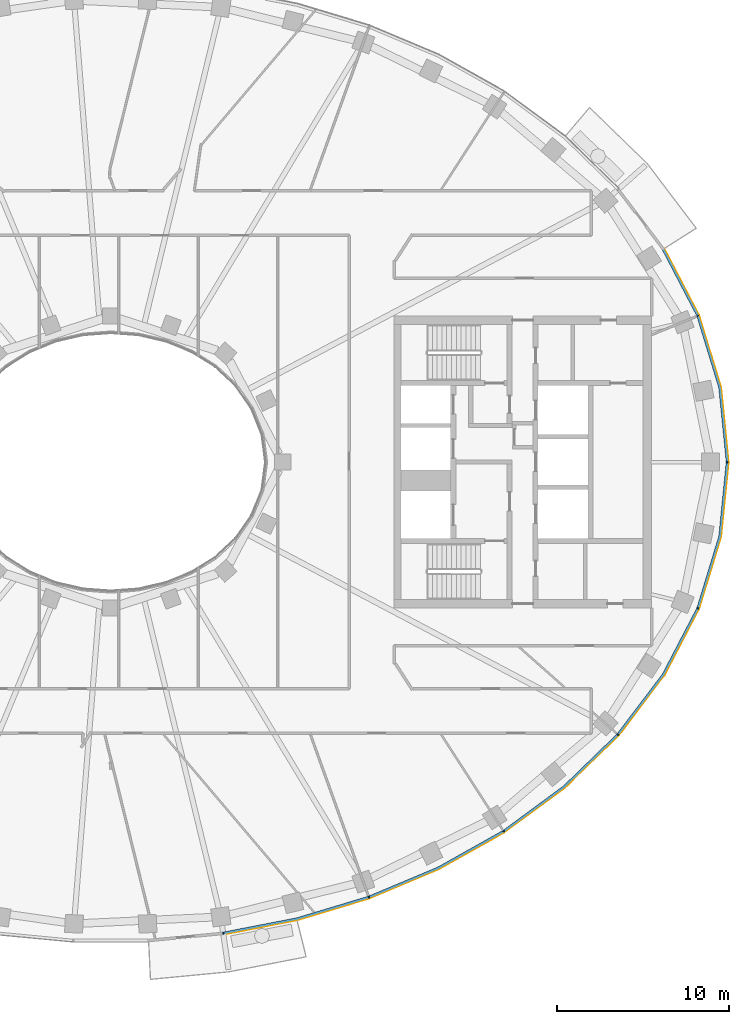
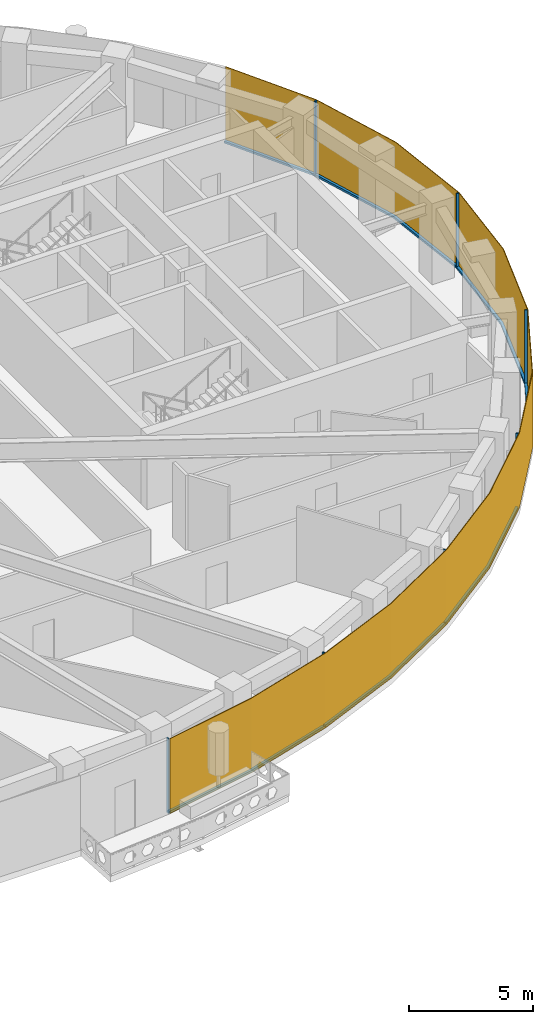
# One storey, part 11 of 17: 14 members, 1 curtain wall.
"""IFC4 building model written with IfcOpenShell, lengths in metres."""

from ifc_helpers import new_model, si_unit, direction, frame, origin, origin_2d, place, context, subcontext, project, spatial, polyline, rectangle, outline, extrude, material, layer, layer_set, material_profile, profile_set, type_object, element, aggregate, save


model = new_model("IFC4")

# Units and contexts
model_context = context("Model", 3, precision=1e-05, world=origin(), true_north=direction((0.0, 1.0)))
body_context = subcontext(model_context, "Body", "Model", "MODEL_VIEW")
ifc_project = project(units=[si_unit("LENGTHUNIT", "METRE"), si_unit("AREAUNIT", "SQUARE_METRE"), si_unit("VOLUMEUNIT", "CUBIC_METRE"), si_unit("PLANEANGLEUNIT", "RADIAN"), si_unit("MASSUNIT", "GRAM", prefix="KILO")], contexts=[model_context])

# Member
ifc_material_1 = material(Name="Aluminium 6063-T6 black anodised", Category="aluminium")
ifc_material_profile = material_profile(ifc_material_1, rectangle(XDim=0.1201171875, YDim=0.06005859375, at=origin_2d()), Name="120x60")
ifc_profile_set = profile_set([ifc_material_profile], Name="Aluminium 6063-T6 black anodised")
member_type_1 = type_object("IfcMemberType", Name="ENV-MULLION-A-120", PredefinedType="MULLION", material=ifc_profile_set)
site_placement = place(None, origin())
building_placement = place(site_placement, origin())
storey_placement = place(building_placement, frame((0.0, 0.0, 269.5)))
member_1_placement = place(storey_placement, frame((6.54638671875, -27.440185546875, 0.0), z_axis=(0.0, 0.0, 1.0), x_axis=(-0.143082012705, 0.989710835366, 0.0)))
member_1 = element("IfcMember", 1, at=member_1_placement, type_object=member_type_1, Name="Mullion A radial 37", PredefinedType="MULLION", context=body_context, shape_type="SweptSolid", body=[
    extrude(rectangle(XDim=0.1201171875, YDim=0.06005859375, at=origin_2d()), origin(), (0.0, 0.0, 1.0), 3.699951171875),
])

member_2_placement = place(storey_placement, frame((15.0341796875, -25.34375, 0.0), z_axis=(0.0, 0.0, 1.0), x_axis=(-0.338379256581, 0.941009818608, 0.0)))
member_2 = element("IfcMember", 2, at=member_2_placement, type_object=member_type_1, Name="Mullion A radial 39", PredefinedType="MULLION", context=body_context, shape_type="SweptSolid", body=[
    extrude(rectangle(XDim=0.1201171875, YDim=0.06005859375, at=origin_2d()), origin(), (0.0, 0.0, 1.0), 3.699951171875),
])

member_3_placement = place(storey_placement, frame((22.882568359375, -21.506591796875, 0.0), z_axis=(0.0, 0.0, 1.0), x_axis=(-0.542279153225, 0.840198381323, 0.0)))
member_3 = element("IfcMember", 3, at=member_3_placement, type_object=member_type_1, Name="Mullion A radial 41", PredefinedType="MULLION", context=body_context, shape_type="SweptSolid", body=[
    extrude(rectangle(XDim=0.1201171875, YDim=0.06005859375, at=origin_2d()), origin(), (0.0, 0.0, 1.0), 3.699951171875),
])

member_4_placement = place(storey_placement, frame((29.53857421875, -15.8671875, 0.0), z_axis=(0.0, 0.0, 1.0), x_axis=(-0.749047221705, 0.662516610853, 0.0)))
member_4 = element("IfcMember", 4, at=member_4_placement, type_object=member_type_1, Name="Mullion A radial 43", PredefinedType="MULLION", context=body_context, shape_type="SweptSolid", body=[
    extrude(rectangle(XDim=0.1201171875, YDim=0.06005859375, at=origin_2d()), origin(), (0.0, 0.0, 1.0), 3.699951171875),
])

member_5_placement = place(storey_placement, frame((34.19580078125, -8.513916015625, 0.0), z_axis=(0.0, 0.0, 1.0), x_axis=(-0.92546738067, 0.378827305398, 0.0)))
member_5 = element("IfcMember", 5, at=member_5_placement, type_object=member_type_1, Name="Mullion A radial 45", PredefinedType="MULLION", context=body_context, shape_type="SweptSolid", body=[
    extrude(rectangle(XDim=0.1201171875, YDim=0.06005859375, at=origin_2d()), origin(), (0.0, 0.0, 1.0), 3.699951171875),
])

member_6_placement = place(storey_placement, frame((35.907958984375, 0.0, 0.0), z_axis=(0.0, 0.0, 1.0), x_axis=(-1.0, 0.0, 0.0)))
member_6 = element("IfcMember", 6, at=member_6_placement, type_object=member_type_1, Name="Mullion A radial 01", PredefinedType="MULLION", context=body_context, shape_type="SweptSolid", body=[
    extrude(rectangle(XDim=0.1201171875, YDim=0.06005859375, at=origin_2d()), origin(), (0.0, 0.0, 1.0), 3.699951171875),
])

member_7_placement = place(storey_placement, frame((34.19580078125, 8.513916015625, 0.0), z_axis=(0.0, 0.0, 1.0), x_axis=(-0.92546738067, -0.378827305398, 0.0)))
member_7 = element("IfcMember", 7, at=member_7_placement, type_object=member_type_1, Name="Mullion A radial 03", PredefinedType="MULLION", context=body_context, shape_type="SweptSolid", body=[
    extrude(rectangle(XDim=0.1201171875, YDim=0.06005859375, at=origin_2d()), origin(), (0.0, 0.0, 1.0), 3.699951171875),
])

ifc_material_2 = material(Name="Aluminium 6063-T6 black anodised", Category="aluminium")
member_type_2 = type_object("IfcMemberType", Name="ENV-TRANSOM-A", PredefinedType="USERDEFINED", material=ifc_material_2)
member_8_placement = place(storey_placement, origin())
member_8 = element("IfcMember", 8, at=member_8_placement, type_object=member_type_2, Name="Transom A radial 37-39", ObjectType="TRANSOM", PredefinedType="USERDEFINED", context=body_context, shape_type="SweptSolid", body=[
    extrude(outline(polyline([(6.58251953125, -27.494140625), (10.857666015625, -26.6630859375), (15.027587890625, -25.408203125), (14.987060546875, -25.295166015625), (10.828857421875, -26.54638671875), (6.5654296875, -27.375244140625), (6.58251953125, -27.494140625)])), origin(), (0.0, 0.0, 1.0), 0.10009765625),
])

member_9_placement = place(storey_placement, origin())
member_9 = element("IfcMember", 9, at=member_9_placement, type_object=member_type_2, Name="Transom A radial 39-41", ObjectType="TRANSOM", PredefinedType="USERDEFINED", context=body_context, shape_type="SweptSolid", body=[
    extrude(outline(polyline([(15.080322265625, -25.389404296875), (19.093994140625, -23.701416015625), (22.890625, -21.570556640625), (22.825439453125, -21.469482421875), (19.041259765625, -23.593505859375), (15.03955078125, -25.276123046875), (15.080322265625, -25.389404296875)])), origin(), (0.0, 0.0, 1.0), 0.10009765625),
])

member_10_placement = place(storey_placement, origin())
member_10 = element("IfcMember", 10, at=member_10_placement, type_object=member_type_2, Name="Transom A radial 41-43", ObjectType="TRANSOM", PredefinedType="USERDEFINED", context=body_context, shape_type="SweptSolid", body=[
    extrude(outline(polyline([(22.937744140625, -21.540283203125), (26.4423828125, -18.958740234375), (29.5634765625, -15.926513671875), (29.473388671875, -15.8466796875), (26.364501953125, -18.866943359375), (22.87255859375, -21.439208984375), (22.937744140625, -21.540283203125)])), origin(), (0.0, 0.0, 1.0), 0.10009765625),
])

member_11_placement = place(storey_placement, origin())
member_11 = element("IfcMember", 11, at=member_11_placement, type_object=member_type_2, Name="Transom A radial 43-45", ObjectType="TRANSOM", PredefinedType="USERDEFINED", context=body_context, shape_type="SweptSolid", body=[
    extrude(outline(polyline([(29.6005859375, -15.884521484375), (32.22802734375, -12.41748046875), (34.23828125, -8.5615234375), (34.126708984375, -8.515869140625), (32.126220703125, -12.35302734375), (29.51025390625, -15.8046875), (29.6005859375, -15.884521484375)])), origin(), (0.0, 0.0, 1.0), 0.10009765625),
])

member_12_placement = place(storey_placement, origin())
member_12 = element("IfcMember", 12, at=member_12_placement, type_object=member_type_2, Name="Transom A radial 45-01", ObjectType="TRANSOM", PredefinedType="USERDEFINED", context=body_context, shape_type="SweptSolid", body=[
    extrude(outline(polyline([(34.259521484375, -8.509765625), (35.529541015625, -4.352294921875), (35.965087890625, -0.02783203125), (35.844482421875, -0.02783203125), (35.411376953125, -4.32861328125), (34.14794921875, -8.464111328125), (34.259521484375, -8.509765625)])), origin(), (0.0, 0.0, 1.0), 0.10009765625),
])

member_13_placement = place(storey_placement, origin())
member_13 = element("IfcMember", 13, at=member_13_placement, type_object=member_type_2, Name="Transom A radial 01-03", ObjectType="TRANSOM", PredefinedType="USERDEFINED", context=body_context, shape_type="SweptSolid", body=[
    extrude(outline(polyline([(35.965087890625, 0.02783203125), (35.529541015625, 4.352294921875), (34.259521484375, 8.509765625), (34.14794921875, 8.464111328125), (35.411376953125, 4.32861328125), (35.844482421875, 0.02783203125), (35.965087890625, 0.02783203125)])), origin(), (0.0, 0.0, 1.0), 0.10009765625),
])

member_14_placement = place(storey_placement, origin())
member_14 = element("IfcMember", 14, at=member_14_placement, type_object=member_type_2, Name="Transom A radial 03-04", ObjectType="TRANSOM", PredefinedType="USERDEFINED", context=body_context, shape_type="SweptSolid", body=[
    extrude(outline(polyline([(34.23828125, 8.5615234375), (32.2373046875, 12.39990234375), (32.135498046875, 12.33544921875), (34.126708984375, 8.515869140625), (34.23828125, 8.5615234375)])), origin(), (0.0, 0.0, 1.0), 0.10009765625),
])

# Site, building, storey
site = spatial("IfcSite", under=ifc_project, at=site_placement, CompositionType="ELEMENT")
building = spatial("IfcBuilding", under=site, at=building_placement, Name="Noorbagh Ring Tower", CompositionType="ELEMENT")
storey = spatial("IfcBuildingStorey", under=building, at=storey_placement, Name="L57", CompositionType="ELEMENT", Elevation=269.5)

# Curtain wall
ifc_material_3 = material(Name="Glass dark tinted laminated", Category="glass")
ifc_layer = layer(ifc_material_3, 0.031982421875)
ifc_layer_set = layer_set([ifc_layer], Name="Glass dark tinted laminated")
curtain_wall_type = type_object("IfcCurtainWallType", Name="ENV-CW-A", PredefinedType="NOTDEFINED", material=ifc_layer_set)
curtain_wall_placement = place(storey_placement, origin())
curtain_wall = element("IfcCurtainWall", 15, at=curtain_wall_placement, inside=storey, type_object=curtain_wall_type, Name="Curtain wall A R37", PredefinedType="NOTDEFINED", context=body_context, shape_type="SweptSolid", body=[
    extrude(outline(polyline([(6.579345703125, -27.52734375), (10.865234375, -26.6943359375), (15.065185546875, -25.430419921875), (19.108154296875, -23.730224609375), (22.9326171875, -21.583740234375), (26.463134765625, -18.9833984375), (29.607666015625, -15.927978515625), (32.255126953125, -12.434814453125), (34.281005859375, -8.548828125), (35.561279296875, -4.358642578125), (36.0, 0.0), (35.561279296875, 4.358642578125), (34.281005859375, 8.548828125), (32.264404296875, 12.4169921875), (32.2373046875, 12.39990234375), (34.251220703125, 8.53662109375), (35.529541015625, 4.352294921875), (35.9677734375, 0.0), (35.529541015625, -4.352294921875), (34.251220703125, -8.53662109375), (32.22802734375, -12.41748046875), (29.58349609375, -15.906982421875), (26.4423828125, -18.958740234375), (22.9150390625, -21.556884765625), (19.093994140625, -23.701416015625), (15.054443359375, -25.400146484375), (10.857666015625, -26.6630859375), (6.57470703125, -27.49560546875), (6.579345703125, -27.52734375)])), origin(), (0.0, 0.0, 1.0), 3.699951171875),
])

aggregate(curtain_wall, [member_1, member_2, member_3, member_4, member_5, member_6, member_7, member_8, member_9, member_10, member_11, member_12, member_13, member_14])

save(model, "model.ifc")
